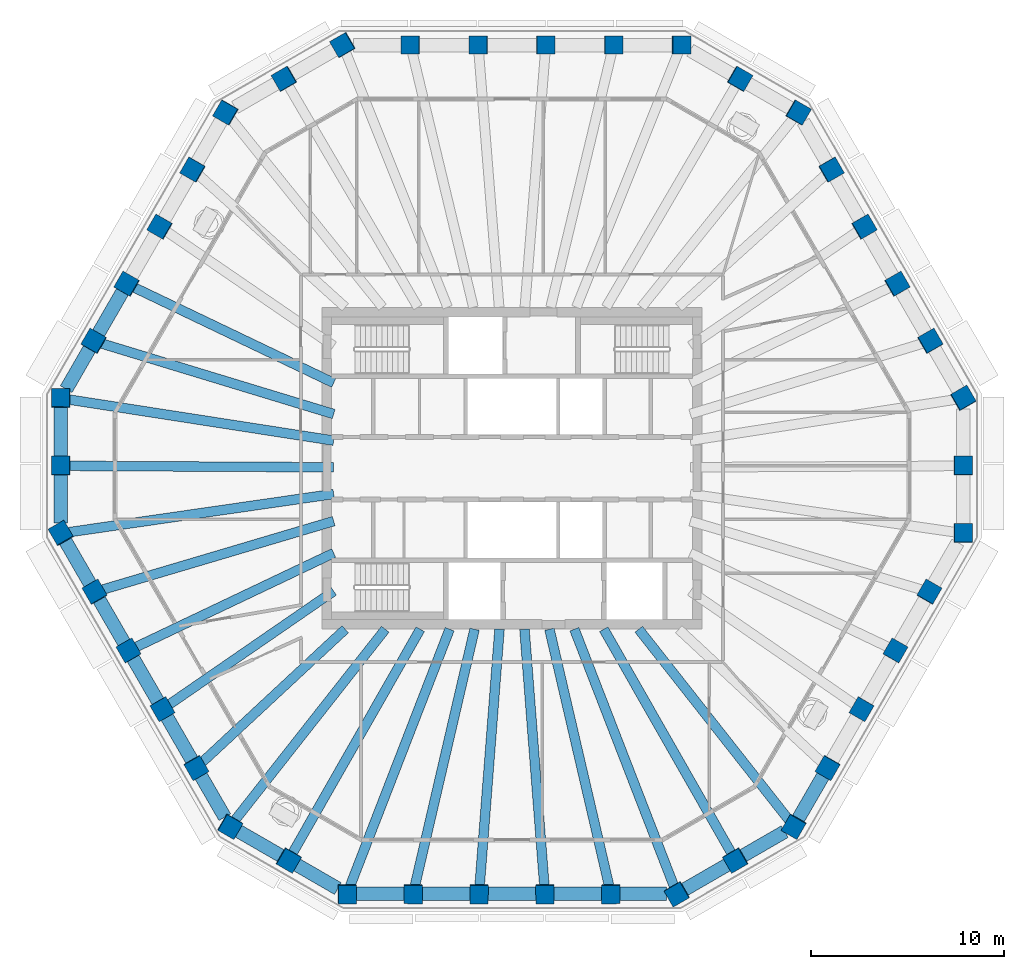
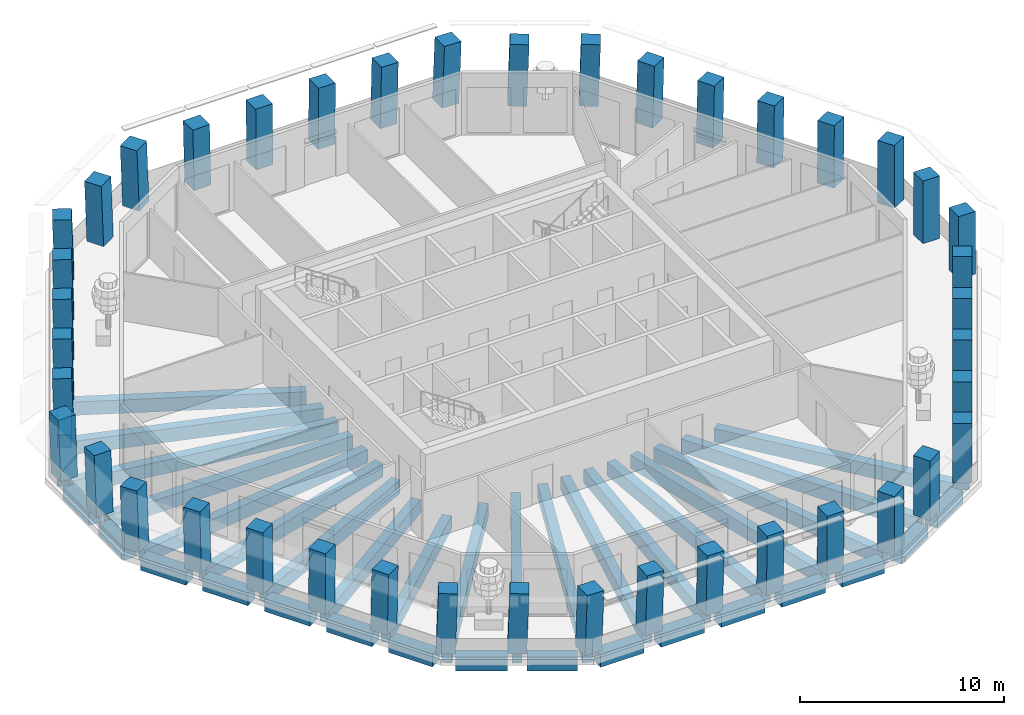
# One storey, part 1 of 12: 42 columns, 38 beams.
"""IFC4 building model written with IfcOpenShell, lengths in metres."""

from ifc_helpers import new_model, si_unit, direction, frame, origin, origin_2d, place, context, subcontext, project, spatial, rectangle, extrude, material, material_profile, profile_set, type_object, element, save


model = new_model("IFC4")

# Units and contexts
model_context = context("Model", 3, precision=1e-05, world=origin(), true_north=direction((0.0, 1.0)))
body_context = subcontext(model_context, "Body", "Model", "MODEL_VIEW")
ifc_project = project(units=[si_unit("LENGTHUNIT", "METRE"), si_unit("AREAUNIT", "SQUARE_METRE"), si_unit("VOLUMEUNIT", "CUBIC_METRE"), si_unit("PLANEANGLEUNIT", "RADIAN"), si_unit("MASSUNIT", "GRAM", prefix="KILO")], contexts=[model_context])

# Site, building, storey
site_placement = place(None, origin())
site = spatial("IfcSite", under=ifc_project, at=site_placement, CompositionType="ELEMENT")
building_placement = place(site_placement, origin())
building = spatial("IfcBuilding", under=site, at=building_placement, Name="Frailejon Research Tower", CompositionType="ELEMENT")
storey_placement = place(building_placement, frame((0.0, 0.0, 267.0)))
storey = spatial("IfcBuildingStorey", under=building, at=storey_placement, Name="L58", CompositionType="ELEMENT", Elevation=267.0)

# Columns
ifc_material_1 = material(Name="Concrete C50/60", Category="concrete")
ifc_material_profile_1 = material_profile(ifc_material_1, rectangle(XDim=0.949951171875, YDim=0.949951171875, at=origin_2d()), Name="Column 950")
ifc_profile_set_1 = profile_set([ifc_material_profile_1], Name="Concrete C50/60")
column_type = type_object("IfcColumnType", Name="Column 950", PredefinedType="COLUMN", material=ifc_profile_set_1)
for number, where, z_axis, x_axis, name in (
    (1, (23.396484375, -3.376220703125, 0.0), (0.018115203871, 0.031350666477, 0.999344272561), (-0.000374749584, 0.999508428335, -0.031349023127), "Column C01"),
    (2, (23.396484375, 0.125732421875, 0.0), (0.018115165867, 0.031417446337, 0.999342176049), (-0.001297375745, 0.999506085267, -0.031399081689), "Column C02"),
    (3, (23.396484375, 3.627685546875, 0.0), (0.018115165867, 0.031417446337, 0.999342176049), (-0.501041092948, 0.865233799715, -0.018118913022), "Column C03"),
):
    element("IfcColumn", number, at=place(storey_placement, frame(where, z_axis=z_axis, x_axis=x_axis)), inside=storey, type_object=column_type, Name=name, PredefinedType="COLUMN", context=body_context, shape_type="SweptSolid", body=[
        extrude(rectangle(XDim=0.949951171875, YDim=0.949951171875, at=origin_2d()), origin(), (0.0, 0.0, 1.0), 3.65234375),
    ])
column_1_placement = place(storey_placement, frame((21.68505859375, 6.591796875, 0.0), z_axis=(0.021793949015, 0.025136579231, 0.999446434868), x_axis=(-0.499665408411, 0.866150057728, -0.010888394553)))
element("IfcColumn", 4, at=column_1_placement, inside=storey, type_object=column_type, Name="Column C04", PredefinedType="COLUMN", context=body_context, shape_type="SweptSolid", body=[
    extrude(rectangle(XDim=0.949951171875, YDim=0.949951171875, at=origin_2d()), origin(), (0.0, 0.0, 1.0), 3.65185546875),
])
for number, where, z_axis, x_axis, name in (
    (5, (19.973876953125, 9.555908203125, 0.0), (0.025338555476, 0.01878663348, 0.999502386195), (-0.499703460542, 0.866189008895, -0.003612809361), "Column C05"),
    (6, (18.262451171875, 12.52001953125, 0.0), (0.029015583354, 0.012568962375, 0.99949993352), (-0.499848966802, 0.86610502362, 0.003619177736), "Column C06"),
):
    element("IfcColumn", number, at=place(storey_placement, frame(where, z_axis=z_axis, x_axis=x_axis)), inside=storey, type_object=column_type, Name=name, PredefinedType="COLUMN", context=body_context, shape_type="SweptSolid", body=[
        extrude(rectangle(XDim=0.949951171875, YDim=0.949951171875, at=origin_2d()), origin(), (0.0, 0.0, 1.0), 3.651611328125),
    ])
column_2_placement = place(storey_placement, frame((16.55126953125, 15.48388671875, 0.0), z_axis=(0.032624119908, 0.006284154245, 0.999447935715), x_axis=(-0.500036299202, 0.865936128062, 0.010877573109)))
element("IfcColumn", 7, at=column_2_placement, inside=storey, type_object=column_type, Name="Column C07", PredefinedType="COLUMN", context=body_context, shape_type="SweptSolid", body=[
    extrude(rectangle(XDim=0.949951171875, YDim=0.949951171875, at=origin_2d()), origin(), (0.0, 0.0, 1.0), 3.65185546875),
])
for number, where, z_axis, x_axis, name in (
    (8, (14.83984375, 18.447998046875, 0.0), (0.036297136169, 0.0, 0.99934104184), (-0.865312543657, 0.500246354177, 0.031429077673), "Column C08"),
    (9, (11.80712890625, 20.198974609375, 0.0), (0.036230378439, 0.0, 0.99934346432), (-0.865314641241, 0.500246354177, 0.031371273281), "Column C09"),
    (10, (8.7744140625, 21.949951171875, 0.0), (0.036230378439, 0.0, 0.99934346432), (-0.99934346432, 0.0, 0.036230378439), "Column C10"),
):
    element("IfcColumn", number, at=place(storey_placement, frame(where, z_axis=z_axis, x_axis=x_axis)), inside=storey, type_object=column_type, Name=name, PredefinedType="COLUMN", context=body_context, shape_type="SweptSolid", body=[
        extrude(rectangle(XDim=0.949951171875, YDim=0.949951171875, at=origin_2d()), origin(), (0.0, 0.0, 1.0), 3.65234375),
    ])
column_3_placement = place(storey_placement, frame((5.2646484375, 21.949951171875, 0.0), z_axis=(0.021733995409, 0.0, 0.999763788824), x_axis=(-0.999763788824, 0.0, 0.021733995409)))
element("IfcColumn", 11, at=column_3_placement, inside=storey, type_object=column_type, Name="Column C11", PredefinedType="COLUMN", context=body_context, shape_type="SweptSolid", body=[
    extrude(rectangle(XDim=0.949951171875, YDim=0.949951171875, at=origin_2d()), origin(), (0.0, 0.0, 1.0), 3.65087890625),
])
for number, where, z_axis, x_axis, name in (
    (12, (1.7548828125, 21.949951171875, 0.0), (0.00729077612, 0.0, 0.999973421939), (-0.999973421939, 0.0, 0.00729077612), "Column C12"),
    (13, (-1.7548828125, 21.949951171875, 0.0), (-0.00729077612, 0.0, 0.999973421939), (-0.999973421939, 0.0, -0.00729077612), "Column C13"),
):
    element("IfcColumn", number, at=place(storey_placement, frame(where, z_axis=z_axis, x_axis=x_axis)), inside=storey, type_object=column_type, Name=name, PredefinedType="COLUMN", context=body_context, shape_type="SweptSolid", body=[
        extrude(rectangle(XDim=0.949951171875, YDim=0.949951171875, at=origin_2d()), origin(), (0.0, 0.0, 1.0), 3.64990234375),
    ])
column_4_placement = place(storey_placement, frame((-5.2646484375, 21.949951171875, 0.0), z_axis=(-0.021733995409, 0.0, 0.999763788824), x_axis=(-0.999763788824, 0.0, -0.021733995409)))
element("IfcColumn", 14, at=column_4_placement, inside=storey, type_object=column_type, Name="Column C14", PredefinedType="COLUMN", context=body_context, shape_type="SweptSolid", body=[
    extrude(rectangle(XDim=0.949951171875, YDim=0.949951171875, at=origin_2d()), origin(), (0.0, 0.0, 1.0), 3.65087890625),
])
for number, where, z_axis, x_axis, name in (
    (15, (-8.7744140625, 21.949951171875, 0.0), (-0.036230378439, 0.0, 0.99934346432), (-0.865314641241, -0.500246354177, -0.031371273281), "Column C15"),
    (16, (-11.80712890625, 20.198974609375, 0.0), (-0.036230378439, 0.0, 0.99934346432), (-0.865314641241, -0.500246354177, -0.031371273281), "Column C16"),
    (17, (-14.83984375, 18.447998046875, 0.0), (-0.036297136169, 0.0, 0.99934104184), (-0.49942428864, -0.866167613071, -0.018139624664), "Column C17"),
):
    element("IfcColumn", number, at=place(storey_placement, frame(where, z_axis=z_axis, x_axis=x_axis)), inside=storey, type_object=column_type, Name=name, PredefinedType="COLUMN", context=body_context, shape_type="SweptSolid", body=[
        extrude(rectangle(XDim=0.949951171875, YDim=0.949951171875, at=origin_2d()), origin(), (0.0, 0.0, 1.0), 3.65234375),
    ])
column_5_placement = place(storey_placement, frame((-16.55126953125, 15.48388671875, 0.0), z_axis=(-0.032624119908, 0.006284154245, 0.999447935715), x_axis=(-0.500036299202, -0.865936128062, -0.010877573109)))
element("IfcColumn", 18, at=column_5_placement, inside=storey, type_object=column_type, Name="Column C18", PredefinedType="COLUMN", context=body_context, shape_type="SweptSolid", body=[
    extrude(rectangle(XDim=0.949951171875, YDim=0.949951171875, at=origin_2d()), origin(), (0.0, 0.0, 1.0), 3.65185546875),
])
for number, where, z_axis, x_axis, name in (
    (19, (-18.262451171875, 12.52001953125, 0.0), (-0.029015583354, 0.012568962375, 0.99949993352), (-0.499848966802, -0.86610502362, -0.003619177736), "Column C19"),
    (20, (-19.973876953125, 9.555908203125, 0.0), (-0.025338555476, 0.01878663348, 0.999502386195), (-0.499703460542, -0.866189008895, 0.003612809361), "Column C20"),
):
    element("IfcColumn", number, at=place(storey_placement, frame(where, z_axis=z_axis, x_axis=x_axis)), inside=storey, type_object=column_type, Name=name, PredefinedType="COLUMN", context=body_context, shape_type="SweptSolid", body=[
        extrude(rectangle(XDim=0.949951171875, YDim=0.949951171875, at=origin_2d()), origin(), (0.0, 0.0, 1.0), 3.651611328125),
    ])
column_6_placement = place(storey_placement, frame((-21.68505859375, 6.591796875, 0.0), z_axis=(-0.021793949015, 0.025136579231, 0.999446434868), x_axis=(-0.499665408411, -0.866150057728, 0.010888394553)))
element("IfcColumn", 21, at=column_6_placement, inside=storey, type_object=column_type, Name="Column C21", PredefinedType="COLUMN", context=body_context, shape_type="SweptSolid", body=[
    extrude(rectangle(XDim=0.949951171875, YDim=0.949951171875, at=origin_2d()), origin(), (0.0, 0.0, 1.0), 3.65185546875),
])
for number, where, z_axis, x_axis, name in (
    (22, (-23.396484375, 3.627685546875, 0.0), (-0.018115165867, 0.031417446337, 0.999342176049), (-0.001297375745, -0.999506085267, 0.031399081689), "Column C22"),
    (23, (-23.396484375, 0.125732421875, 0.0), (-0.018115165867, 0.031417446337, 0.999342176049), (-0.001297375745, -0.999506085267, 0.031399081689), "Column C23"),
    (24, (-23.396484375, -3.376220703125, 0.0), (-0.018115203871, 0.031350666477, 0.999344272561), (0.499839742394, -0.865360738107, 0.036208077349), "Column C24"),
):
    element("IfcColumn", number, at=place(storey_placement, frame(where, z_axis=z_axis, x_axis=x_axis)), inside=storey, type_object=column_type, Name=name, PredefinedType="COLUMN", context=body_context, shape_type="SweptSolid", body=[
        extrude(rectangle(XDim=0.949951171875, YDim=0.949951171875, at=origin_2d()), origin(), (0.0, 0.0, 1.0), 3.65234375),
    ])
column_7_placement = place(storey_placement, frame((-21.6416015625, -6.415771484375, 0.0), z_axis=(-0.010900423214, 0.018858400897, 0.999762742599), x_axis=(0.500226175498, -0.86562076849, 0.02178206845)))
element("IfcColumn", 25, at=column_7_placement, inside=storey, type_object=column_type, Name="Column C25", PredefinedType="COLUMN", context=body_context, shape_type="SweptSolid", body=[
    extrude(rectangle(XDim=0.949951171875, YDim=0.949951171875, at=origin_2d()), origin(), (0.0, 0.0, 1.0), 3.65087890625),
])
for number, where, z_axis, x_axis, name in (
    (26, (-19.88671875, -9.455322265625, 0.0), (-0.003611945175, 0.00628746012, 0.999973710503), (0.499382072477, -0.866351526517, 0.007251081967), "Column C26"),
    (27, (-18.1318359375, -12.49462890625, 0.0), (0.003611945175, -0.00628746012, 0.999973710503), (0.499382072477, -0.866351526517, -0.007251081967), "Column C27"),
):
    element("IfcColumn", number, at=place(storey_placement, frame(where, z_axis=z_axis, x_axis=x_axis)), inside=storey, type_object=column_type, Name=name, PredefinedType="COLUMN", context=body_context, shape_type="SweptSolid", body=[
        extrude(rectangle(XDim=0.949951171875, YDim=0.949951171875, at=origin_2d()), origin(), (0.0, 0.0, 1.0), 3.64990234375),
    ])
column_8_placement = place(storey_placement, frame((-16.376953125, -15.5341796875, 0.0), z_axis=(0.010900423214, -0.018858400897, 0.999762742599), x_axis=(0.500226175498, -0.86562076849, -0.02178206845)))
element("IfcColumn", 28, at=column_8_placement, inside=storey, type_object=column_type, Name="Column C28", PredefinedType="COLUMN", context=body_context, shape_type="SweptSolid", body=[
    extrude(rectangle(XDim=0.949951171875, YDim=0.949951171875, at=origin_2d()), origin(), (0.0, 0.0, 1.0), 3.65087890625),
])
for number, where, z_axis, x_axis, name in (
    (29, (-14.6220703125, -18.57373046875, 0.0), (0.018115165867, -0.031417446337, 0.999342176049), (0.865519692755, -0.499889378995, -0.031404939456), "Column C29"),
    (30, (-11.58935546875, -20.32470703125, 0.0), (0.018115165867, -0.031417446337, 0.999342176049), (0.865818316477, -0.499372659284, -0.031394107935), "Column C30"),
    (31, (-8.556396484375, -22.07568359375, 0.0), (0.018115165867, -0.031417446337, 0.999342176049), (0.999835898247, 0.000437581599, -0.018110358868), "Column C31"),
):
    element("IfcColumn", number, at=place(storey_placement, frame(where, z_axis=z_axis, x_axis=x_axis)), inside=storey, type_object=column_type, Name=name, PredefinedType="COLUMN", context=body_context, shape_type="SweptSolid", body=[
        extrude(rectangle(XDim=0.949951171875, YDim=0.949951171875, at=origin_2d()), origin(), (0.0, 0.0, 1.0), 3.65234375),
    ])
column_9_placement = place(storey_placement, frame((-5.1337890625, -22.07568359375, 0.0), z_axis=(0.010830134197, -0.031420759708, 0.999447569437), x_axis=(0.999940591968, -0.00089233045, -0.010863529847)))
element("IfcColumn", 32, at=column_9_placement, inside=storey, type_object=column_type, Name="Column C32", PredefinedType="COLUMN", context=body_context, shape_type="SweptSolid", body=[
    extrude(rectangle(XDim=0.949951171875, YDim=0.949951171875, at=origin_2d()), origin(), (0.0, 0.0, 1.0), 3.65185546875),
])
for number, where, z_axis, x_axis, name in (
    (33, (-1.711181640625, -22.07568359375, 0.0), (0.003610232938, -0.031422397791, 0.999499674405), (0.999993379572, -0.000341341874, -0.00362274737), "Column C33"),
    (34, (1.711181640625, -22.07568359375, 0.0), (-0.003610232938, -0.031422397791, 0.999499674405), (0.999993379572, 0.000341341874, 0.00362274737), "Column C34"),
):
    element("IfcColumn", number, at=place(storey_placement, frame(where, z_axis=z_axis, x_axis=x_axis)), inside=storey, type_object=column_type, Name=name, PredefinedType="COLUMN", context=body_context, shape_type="SweptSolid", body=[
        extrude(rectangle(XDim=0.949951171875, YDim=0.949951171875, at=origin_2d()), origin(), (0.0, 0.0, 1.0), 3.651611328125),
    ])
column_10_placement = place(storey_placement, frame((5.1337890625, -22.07568359375, 0.0), z_axis=(-0.010830134197, -0.031420759708, 0.999447569437), x_axis=(0.999940591968, 0.00089233045, 0.010863529847)))
element("IfcColumn", 35, at=column_10_placement, inside=storey, type_object=column_type, Name="Column C35", PredefinedType="COLUMN", context=body_context, shape_type="SweptSolid", body=[
    extrude(rectangle(XDim=0.949951171875, YDim=0.949951171875, at=origin_2d()), origin(), (0.0, 0.0, 1.0), 3.65185546875),
])
for number, where, z_axis, x_axis, name in (
    (36, (8.556396484375, -22.07568359375, 0.0), (-0.018115165867, -0.031417446337, 0.999342176049), (0.865818316477, 0.499372659284, 0.031394107935), "Column C36"),
    (37, (11.58935546875, -20.32470703125, 0.0), (-0.018115165867, -0.031417446337, 0.999342176049), (0.865818316477, 0.499372659284, 0.031394107935), "Column C37"),
    (38, (14.6220703125, -18.57373046875, 0.0), (-0.018115165867, -0.031417446337, 0.999342176049), (0.499040470376, 0.865819492615, 0.036265894916), "Column C38"),
):
    element("IfcColumn", number, at=place(storey_placement, frame(where, z_axis=z_axis, x_axis=x_axis)), inside=storey, type_object=column_type, Name=name, PredefinedType="COLUMN", context=body_context, shape_type="SweptSolid", body=[
        extrude(rectangle(XDim=0.949951171875, YDim=0.949951171875, at=origin_2d()), origin(), (0.0, 0.0, 1.0), 3.65234375),
    ])
column_11_placement = place(storey_placement, frame((16.376953125, -15.5341796875, 0.0), z_axis=(-0.010900423214, -0.018858400897, 0.999762742599), x_axis=(0.500226175498, 0.86562076849, 0.02178206845)))
element("IfcColumn", 39, at=column_11_placement, inside=storey, type_object=column_type, Name="Column C39", PredefinedType="COLUMN", context=body_context, shape_type="SweptSolid", body=[
    extrude(rectangle(XDim=0.949951171875, YDim=0.949951171875, at=origin_2d()), origin(), (0.0, 0.0, 1.0), 3.65087890625),
])
for number, where, z_axis, x_axis, name in (
    (40, (18.1318359375, -12.49462890625, 0.0), (-0.003611945175, -0.00628746012, 0.999973710503), (0.499382072477, 0.866351526517, 0.007251081967), "Column C40"),
    (41, (19.88671875, -9.455322265625, 0.0), (0.003611945175, 0.00628746012, 0.999973710503), (0.499382072477, 0.866351526517, -0.007251081967), "Column C41"),
):
    element("IfcColumn", number, at=place(storey_placement, frame(where, z_axis=z_axis, x_axis=x_axis)), inside=storey, type_object=column_type, Name=name, PredefinedType="COLUMN", context=body_context, shape_type="SweptSolid", body=[
        extrude(rectangle(XDim=0.949951171875, YDim=0.949951171875, at=origin_2d()), origin(), (0.0, 0.0, 1.0), 3.64990234375),
    ])
column_12_placement = place(storey_placement, frame((21.6416015625, -6.415771484375, 0.0), z_axis=(0.010900423214, 0.018858400897, 0.999762742599), x_axis=(0.500226175498, 0.86562076849, -0.02178206845)))
element("IfcColumn", 42, at=column_12_placement, inside=storey, type_object=column_type, Name="Column C42", PredefinedType="COLUMN", context=body_context, shape_type="SweptSolid", body=[
    extrude(rectangle(XDim=0.949951171875, YDim=0.949951171875, at=origin_2d()), origin(), (0.0, 0.0, 1.0), 3.65087890625),
])

# Beams
ifc_material_2 = material(Name="Concrete C60/75", Category="concrete")
ifc_material_profile_2 = material_profile(ifc_material_2, rectangle(XDim=0.5, YDim=0.800048828125, at=origin_2d()), Name="Girder 500x800")
ifc_profile_set_2 = profile_set([ifc_material_profile_2], Name="Concrete C60/75")
beam_type_1 = type_object("IfcBeamType", Name="Girder 500x800", PredefinedType="BEAM", material=ifc_profile_set_2)
beam_1_placement = place(storey_placement, frame((-19.67919921875, 9.414794921875, -0.699951171875), z_axis=(0.902079537391, -0.431569818476, 0.0), x_axis=(0.431569818476, 0.902079537391, 0.0)))
element("IfcBeam", 43, at=beam_1_placement, inside=storey, type_object=beam_type_1, Name="Girder 500x800", PredefinedType="BEAM", context=body_context, shape_type="SweptSolid", body=[
    extrude(rectangle(XDim=0.5, YDim=0.800048828125, at=origin_2d()), origin(), (0.0, 0.0, 1.0), 11.561279296875),
])
beam_2_placement = place(storey_placement, frame((-21.362060546875, 6.493408203125, -0.699951171875), z_axis=(0.956775888303, -0.290826236028, 0.0), x_axis=(0.290826236028, 0.956775888303, 0.0)))
element("IfcBeam", 44, at=beam_2_placement, inside=storey, type_object=beam_type_1, Name="Girder 500x800", PredefinedType="BEAM", context=body_context, shape_type="SweptSolid", body=[
    extrude(rectangle(XDim=0.5, YDim=0.800048828125, at=origin_2d()), origin(), (0.0, 0.0, 1.0), 12.6591796875),
])
beam_3_placement = place(storey_placement, frame((-23.069580078125, 3.576904296875, -0.699951171875), z_axis=(0.98819118245, -0.153225934253, 0.0), x_axis=(0.153225934253, 0.98819118245, 0.0)))
element("IfcBeam", 45, at=beam_3_placement, inside=storey, type_object=beam_type_1, Name="Girder 500x800", PredefinedType="BEAM", context=body_context, shape_type="SweptSolid", body=[
    extrude(rectangle(XDim=0.5, YDim=0.800048828125, at=origin_2d()), origin(), (0.0, 0.0, 1.0), 13.984619140625),
])
beam_4_placement = place(storey_placement, frame((-23.0712890625, 0.1240234375, -0.699951171875), z_axis=(0.999985582473, -0.005369808823, 0.0), x_axis=(0.005369808823, 0.999985582473, 0.0)))
element("IfcBeam", 46, at=beam_4_placement, inside=storey, type_object=beam_type_1, Name="Girder 500x800", PredefinedType="BEAM", context=body_context, shape_type="SweptSolid", body=[
    extrude(rectangle(XDim=0.5, YDim=0.800048828125, at=origin_2d()), origin(), (0.0, 0.0, 1.0), 13.821533203125),
])
beam_5_placement = place(storey_placement, frame((-23.03857421875, -3.32470703125, -0.699951171875), z_axis=(0.989748018813, 0.142824575115, 0.0), x_axis=(-0.142824575115, 0.989748018813, 0.0)))
element("IfcBeam", 47, at=beam_5_placement, inside=storey, type_object=beam_type_1, Name="Girder 500x800", PredefinedType="BEAM", context=body_context, shape_type="SweptSolid", body=[
    extrude(rectangle(XDim=0.5, YDim=0.800048828125, at=origin_2d()), origin(), (0.0, 0.0, 1.0), 13.931396484375),
])
beam_6_placement = place(storey_placement, frame((-21.31689453125, -6.319580078125, -0.699951171875), z_axis=(0.958754462516, 0.28423560756, 0.0), x_axis=(-0.28423560756, 0.958754462516, 0.0)))
element("IfcBeam", 48, at=beam_6_placement, inside=storey, type_object=beam_type_1, Name="Girder 500x800", PredefinedType="BEAM", context=body_context, shape_type="SweptSolid", body=[
    extrude(rectangle(XDim=0.5, YDim=0.800048828125, at=origin_2d()), origin(), (0.0, 0.0, 1.0), 12.5859375),
])
beam_7_placement = place(storey_placement, frame((-19.591796875, -9.315185546875, -0.699951171875), z_axis=(0.903112183446, 0.429404685712, 0.0), x_axis=(-0.429404685712, 0.903112183446, 0.0)))
element("IfcBeam", 49, at=beam_7_placement, inside=storey, type_object=beam_type_1, Name="Girder 500x800", PredefinedType="BEAM", context=body_context, shape_type="SweptSolid", body=[
    extrude(rectangle(XDim=0.5, YDim=0.800048828125, at=origin_2d()), origin(), (0.0, 0.0, 1.0), 11.451171875),
])
beam_8_placement = place(storey_placement, frame((-17.86279296875, -12.309326171875, -0.699951171875), z_axis=(0.823427141776, 0.567422014189, 0.0), x_axis=(-0.567422014189, 0.823427141776, 0.0)))
element("IfcBeam", 50, at=beam_8_placement, inside=storey, type_object=beam_type_1, Name="Girder 500x800", PredefinedType="BEAM", context=body_context, shape_type="SweptSolid", body=[
    extrude(rectangle(XDim=0.5, YDim=0.800048828125, at=origin_2d()), origin(), (0.0, 0.0, 1.0), 10.459716796875),
])
beam_9_placement = place(storey_placement, frame((-16.1298828125, -15.304443359375, -0.699951171875), z_axis=(0.732371068162, 0.680905733945, 0.0), x_axis=(-0.680905733945, 0.732371068162, 0.0)))
element("IfcBeam", 51, at=beam_9_placement, inside=storey, type_object=beam_type_1, Name="Girder 500x800", PredefinedType="BEAM", context=body_context, shape_type="SweptSolid", body=[
    extrude(rectangle(XDim=0.5, YDim=0.800048828125, at=origin_2d()), origin(), (0.0, 0.0, 1.0), 10.21337890625),
])
beam_10_placement = place(storey_placement, frame((-14.41796875, -18.314453125, -0.699951171875), z_axis=(0.618569468768, 0.785730114167, 0.0), x_axis=(-0.785730114167, 0.618569468768, 0.0)))
element("IfcBeam", 52, at=beam_10_placement, inside=storey, type_object=beam_type_1, Name="Girder 500x800", PredefinedType="BEAM", context=body_context, shape_type="SweptSolid", body=[
    extrude(rectangle(XDim=0.5, YDim=0.800048828125, at=origin_2d()), origin(), (0.0, 0.0, 1.0), 12.681640625),
])
beam_11_placement = place(storey_placement, frame((-11.42822265625, -20.04248046875, -0.699951171875), z_axis=(0.495333921308, 0.868702657071, 0.0), x_axis=(-0.868702657071, 0.495333921308, 0.0)))
element("IfcBeam", 53, at=beam_11_placement, inside=storey, type_object=beam_type_1, Name="Girder 500x800", PredefinedType="BEAM", context=body_context, shape_type="SweptSolid", body=[
    extrude(rectangle(XDim=0.5, YDim=0.800048828125, at=origin_2d()), origin(), (0.0, 0.0, 1.0), 13.45947265625),
])
beam_12_placement = place(storey_placement, frame((-8.426513671875, -21.740478515625, -0.699951171875), z_axis=(0.361406609818, 0.932408313123, 0.0), x_axis=(-0.932408313123, 0.361406609818, 0.0)))
element("IfcBeam", 54, at=beam_12_placement, inside=storey, type_object=beam_type_1, Name="Girder 500x800", PredefinedType="BEAM", context=body_context, shape_type="SweptSolid", body=[
    extrude(rectangle(XDim=0.5, YDim=0.800048828125, at=origin_2d()), origin(), (0.0, 0.0, 1.0), 14.361083984375),
])
beam_13_placement = place(storey_placement, frame((-5.057373046875, -21.746826171875, -0.699951171875), z_axis=(0.226510753345, 0.97400866455, 0.0), x_axis=(-0.97400866455, 0.226510753345, 0.0)))
element("IfcBeam", 55, at=beam_13_placement, inside=storey, type_object=beam_type_1, Name="Girder 500x800", PredefinedType="BEAM", context=body_context, shape_type="SweptSolid", body=[
    extrude(rectangle(XDim=0.5, YDim=0.800048828125, at=origin_2d()), origin(), (0.0, 0.0, 1.0), 13.754150390625),
])
for number, where, z_axis, x_axis, name in (
    (56, (-1.68603515625, -21.750244140625, -0.699951171875), (0.077291006798, 0.997008575825, 0.0), (-0.997008575825, 0.077291006798, 0.0), "Girder 500x800"),
    (57, (1.68603515625, -21.750244140625, -0.699951171875), (-0.077291006798, 0.997008575825, 0.0), (-0.997008575825, -0.077291006798, 0.0), "Girder 500x800"),
):
    element("IfcBeam", number, at=place(storey_placement, frame(where, z_axis=z_axis, x_axis=x_axis)), inside=storey, type_object=beam_type_1, Name=name, PredefinedType="BEAM", context=body_context, shape_type="SweptSolid", body=[
        extrude(rectangle(XDim=0.5, YDim=0.800048828125, at=origin_2d()), origin(), (0.0, 0.0, 1.0), 13.4404296875),
    ])
beam_14_placement = place(storey_placement, frame((5.057373046875, -21.746826171875, -0.699951171875), z_axis=(-0.226510753345, 0.97400866455, 0.0), x_axis=(-0.97400866455, -0.226510753345, 0.0)))
element("IfcBeam", 58, at=beam_14_placement, inside=storey, type_object=beam_type_1, Name="Girder 500x800", PredefinedType="BEAM", context=body_context, shape_type="SweptSolid", body=[
    extrude(rectangle(XDim=0.5, YDim=0.800048828125, at=origin_2d()), origin(), (0.0, 0.0, 1.0), 13.754150390625),
])
beam_15_placement = place(storey_placement, frame((8.43701171875, -21.767333984375, -0.699951171875), z_axis=(-0.361411969884, 0.932406235514, 0.0), x_axis=(-0.932406235514, -0.361411969884, 0.0)))
element("IfcBeam", 59, at=beam_15_placement, inside=storey, type_object=beam_type_1, Name="Girder 500x800", PredefinedType="BEAM", context=body_context, shape_type="SweptSolid", body=[
    extrude(rectangle(XDim=0.5, YDim=0.800048828125, at=origin_2d()), origin(), (0.0, 0.0, 1.0), 14.389892578125),
])
beam_16_placement = place(storey_placement, frame((11.42822265625, -20.04248046875, -0.699951171875), z_axis=(-0.495333921308, 0.868702657071, 0.0), x_axis=(-0.868702657071, -0.495333921308, 0.0)))
element("IfcBeam", 60, at=beam_16_placement, inside=storey, type_object=beam_type_1, Name="Girder 500x800", PredefinedType="BEAM", context=body_context, shape_type="SweptSolid", body=[
    extrude(rectangle(XDim=0.5, YDim=0.800048828125, at=origin_2d()), origin(), (0.0, 0.0, 1.0), 13.45947265625),
])
beam_17_placement = place(storey_placement, frame((14.3984375, -18.28955078125, -0.699951171875), z_axis=(-0.618573042637, 0.785727300609, 0.0), x_axis=(-0.785727300609, -0.618573042637, 0.0)))
element("IfcBeam", 61, at=beam_17_placement, inside=storey, type_object=beam_type_1, Name="Girder 500x800", PredefinedType="BEAM", context=body_context, shape_type="SweptSolid", body=[
    extrude(rectangle(XDim=0.5, YDim=0.800048828125, at=origin_2d()), origin(), (0.0, 0.0, 1.0), 12.64990234375),
])
ifc_material_3 = material(Name="Concrete C60/75", Category="concrete")
ifc_material_profile_3 = material_profile(ifc_material_3, rectangle(XDim=0.699951171875, YDim=0.75, at=origin_2d()), Name="Spandrel 700x750")
ifc_profile_set_3 = profile_set([ifc_material_profile_3], Name="Concrete C60/75")
beam_type_2 = type_object("IfcBeamType", Name="Spandrel 700x750", PredefinedType="BEAM", material=ifc_profile_set_3)
beam_18_placement = place(storey_placement, frame((-20.211181640625, 9.144287109375, -0.72509765625), z_axis=(-0.500047259291, -0.865998116901, 0.0), x_axis=(0.865998116901, -0.500047259291, 0.0)))
element("IfcBeam", 62, at=beam_18_placement, inside=storey, type_object=beam_type_2, Name="Spandrel 700x750", PredefinedType="BEAM", context=body_context, shape_type="SweptSolid", body=[
    extrude(rectangle(XDim=0.699951171875, YDim=0.75, at=origin_2d()), origin(), (0.0, 0.0, 1.0), 2.472412109375),
])
beam_19_placement = place(storey_placement, frame((-21.922607421875, 6.180419921875, -0.72509765625), z_axis=(-0.500057179532, -0.865992388649, 0.0), x_axis=(0.865992388649, -0.500057179532, 0.0)))
element("IfcBeam", 63, at=beam_19_placement, inside=storey, type_object=beam_type_2, Name="Spandrel 700x750", PredefinedType="BEAM", context=body_context, shape_type="SweptSolid", body=[
    extrude(rectangle(XDim=0.699951171875, YDim=0.75, at=origin_2d()), origin(), (0.0, 0.0, 1.0), 2.399169921875),
])
beam_20_placement = place(storey_placement, frame((-23.396484375, 3.152587890625, -0.72509765625), z_axis=(0.0, -1.0, 0.0), x_axis=(1.0, 0.0, 0.0)))
element("IfcBeam", 64, at=beam_20_placement, inside=storey, type_object=beam_type_2, Name="Spandrel 700x750", PredefinedType="BEAM", context=body_context, shape_type="SweptSolid", body=[
    extrude(rectangle(XDim=0.699951171875, YDim=0.75, at=origin_2d()), origin(), (0.0, 0.0, 1.0), 2.552001953125),
])
beam_21_placement = place(storey_placement, frame((-23.396484375, -0.349365234375, -0.72509765625), z_axis=(0.0, -1.0, 0.0), x_axis=(1.0, 0.0, 0.0)))
element("IfcBeam", 65, at=beam_21_placement, inside=storey, type_object=beam_type_2, Name="Spandrel 700x750", PredefinedType="BEAM", context=body_context, shape_type="SweptSolid", body=[
    extrude(rectangle(XDim=0.699951171875, YDim=0.75, at=origin_2d()), origin(), (0.0, 0.0, 1.0), 2.478515625),
])
for number, where, z_axis, x_axis, name in (
    (66, (-23.158935546875, -3.78759765625, -0.72509765625), (0.500047177733, -0.865998163994, 0.0), (0.865998163994, 0.500047177733, 0.0), "Spandrel 700x750"),
    (67, (-21.404052734375, -6.8271484375, -0.72509765625), (0.499975646431, -0.866039463868, 0.0), (0.866039463868, 0.499975646431, 0.0), "Spandrel 700x750"),
):
    element("IfcBeam", number, at=place(storey_placement, frame(where, z_axis=z_axis, x_axis=x_axis)), inside=storey, type_object=beam_type_2, Name=name, PredefinedType="BEAM", context=body_context, shape_type="SweptSolid", body=[
        extrude(rectangle(XDim=0.699951171875, YDim=0.75, at=origin_2d()), origin(), (0.0, 0.0, 1.0), 2.559814453125),
    ])
beam_22_placement = place(storey_placement, frame((-19.649169921875, -9.86669921875, -0.72509765625), z_axis=(0.500016948163, -0.866015618537, 0.0), x_axis=(0.866015618537, 0.500016948163, 0.0)))
element("IfcBeam", 68, at=beam_22_placement, inside=storey, type_object=beam_type_2, Name="Spandrel 700x750", PredefinedType="BEAM", context=body_context, shape_type="SweptSolid", body=[
    extrude(rectangle(XDim=0.699951171875, YDim=0.75, at=origin_2d()), origin(), (0.0, 0.0, 1.0), 2.5595703125),
])
beam_23_placement = place(storey_placement, frame((-17.894287109375, -12.906005859375, -0.72509765625), z_axis=(0.499975646431, -0.866039463868, 0.0), x_axis=(0.866039463868, 0.499975646431, 0.0)))
element("IfcBeam", 69, at=beam_23_placement, inside=storey, type_object=beam_type_2, Name="Spandrel 700x750", PredefinedType="BEAM", context=body_context, shape_type="SweptSolid", body=[
    extrude(rectangle(XDim=0.699951171875, YDim=0.75, at=origin_2d()), origin(), (0.0, 0.0, 1.0), 2.559814453125),
])
beam_24_placement = place(storey_placement, frame((-16.139404296875, -15.945556640625, -0.72509765625), z_axis=(0.500025627765, -0.866010607082, 0.0), x_axis=(0.866010607082, 0.500025627765, 0.0)))
element("IfcBeam", 70, at=beam_24_placement, inside=storey, type_object=beam_type_2, Name="Spandrel 700x750", PredefinedType="BEAM", context=body_context, shape_type="SweptSolid", body=[
    extrude(rectangle(XDim=0.699951171875, YDim=0.75, at=origin_2d()), origin(), (0.0, 0.0, 1.0), 2.486083984375),
])
beam_25_placement = place(storey_placement, frame((-14.210693359375, -18.811279296875, -0.72509765625), z_axis=(0.866032638483, -0.499987468925, 0.0), x_axis=(0.499987468925, 0.866032638483, 0.0)))
element("IfcBeam", 71, at=beam_25_placement, inside=storey, type_object=beam_type_2, Name="Spandrel 700x750", PredefinedType="BEAM", context=body_context, shape_type="SweptSolid", body=[
    extrude(rectangle(XDim=0.699951171875, YDim=0.75, at=origin_2d()), origin(), (0.0, 0.0, 1.0), 2.5517578125),
])
beam_26_placement = place(storey_placement, frame((-11.177978515625, -20.562255859375, -0.72509765625), z_axis=(0.866028115054, -0.499995303914, 0.0), x_axis=(0.499995303914, 0.866028115054, 0.0)))
element("IfcBeam", 72, at=beam_26_placement, inside=storey, type_object=beam_type_2, Name="Spandrel 700x750", PredefinedType="BEAM", context=body_context, shape_type="SweptSolid", body=[
    extrude(rectangle(XDim=0.699951171875, YDim=0.75, at=origin_2d()), origin(), (0.0, 0.0, 1.0), 2.478515625),
])
for number, where, z_axis, x_axis, name in (
    (73, (-8.08154296875, -22.07568359375, -0.72509765625), (1.0, 0.0, 0.0), (0.0, 1.0, 0.0), "Spandrel 700x750"),
    (74, (-4.658935546875, -22.07568359375, -0.72509765625), (1.0, 0.0, 0.0), (0.0, 1.0, 0.0), "Spandrel 700x750"),
    (75, (-1.236328125, -22.07568359375, -0.72509765625), (1.0, 0.0, 0.0), (0.0, 1.0, 0.0), "Spandrel 700x750"),
    (76, (2.186279296875, -22.07568359375, -0.72509765625), (1.0, 0.0, 0.0), (0.0, 1.0, 0.0), "Spandrel 700x750"),
):
    element("IfcBeam", number, at=place(storey_placement, frame(where, z_axis=z_axis, x_axis=x_axis)), inside=storey, type_object=beam_type_2, Name=name, PredefinedType="BEAM", context=body_context, shape_type="SweptSolid", body=[
        extrude(rectangle(XDim=0.699951171875, YDim=0.75, at=origin_2d()), origin(), (0.0, 0.0, 1.0), 2.47265625),
    ])
beam_27_placement = place(storey_placement, frame((5.60888671875, -22.07568359375, -0.72509765625), z_axis=(1.0, 0.0, 0.0), x_axis=(0.0, 1.0, 0.0)))
element("IfcBeam", 77, at=beam_27_placement, inside=storey, type_object=beam_type_2, Name="Spandrel 700x750", PredefinedType="BEAM", context=body_context, shape_type="SweptSolid", body=[
    extrude(rectangle(XDim=0.699951171875, YDim=0.75, at=origin_2d()), origin(), (0.0, 0.0, 1.0), 2.399169921875),
])
beam_28_placement = place(storey_placement, frame((8.968017578125, -21.838134765625, -0.72509765625), z_axis=(0.866032638483, 0.499987468925, 0.0), x_axis=(-0.499987468925, 0.866032638483, 0.0)))
element("IfcBeam", 78, at=beam_28_placement, inside=storey, type_object=beam_type_2, Name="Spandrel 700x750", PredefinedType="BEAM", context=body_context, shape_type="SweptSolid", body=[
    extrude(rectangle(XDim=0.699951171875, YDim=0.75, at=origin_2d()), origin(), (0.0, 0.0, 1.0), 2.5517578125),
])
beam_29_placement = place(storey_placement, frame((12.000732421875, -20.087158203125, -0.72509765625), z_axis=(0.866028115054, 0.499995303914, 0.0), x_axis=(-0.499995303914, 0.866028115054, 0.0)))
element("IfcBeam", 79, at=beam_29_placement, inside=storey, type_object=beam_type_2, Name="Spandrel 700x750", PredefinedType="BEAM", context=body_context, shape_type="SweptSolid", body=[
    extrude(rectangle(XDim=0.699951171875, YDim=0.75, at=origin_2d()), origin(), (0.0, 0.0, 1.0), 2.478515625),
])
beam_30_placement = place(storey_placement, frame((14.859619140625, -18.162353515625, -0.72509765625), z_axis=(0.499975646431, 0.866039463868, 0.0), x_axis=(-0.866039463868, 0.499975646431, 0.0)))
element("IfcBeam", 80, at=beam_30_placement, inside=storey, type_object=beam_type_2, Name="Spandrel 700x750", PredefinedType="BEAM", context=body_context, shape_type="SweptSolid", body=[
    extrude(rectangle(XDim=0.699951171875, YDim=0.75, at=origin_2d()), origin(), (0.0, 0.0, 1.0), 2.559814453125),
])

save(model, "model.ifc")
